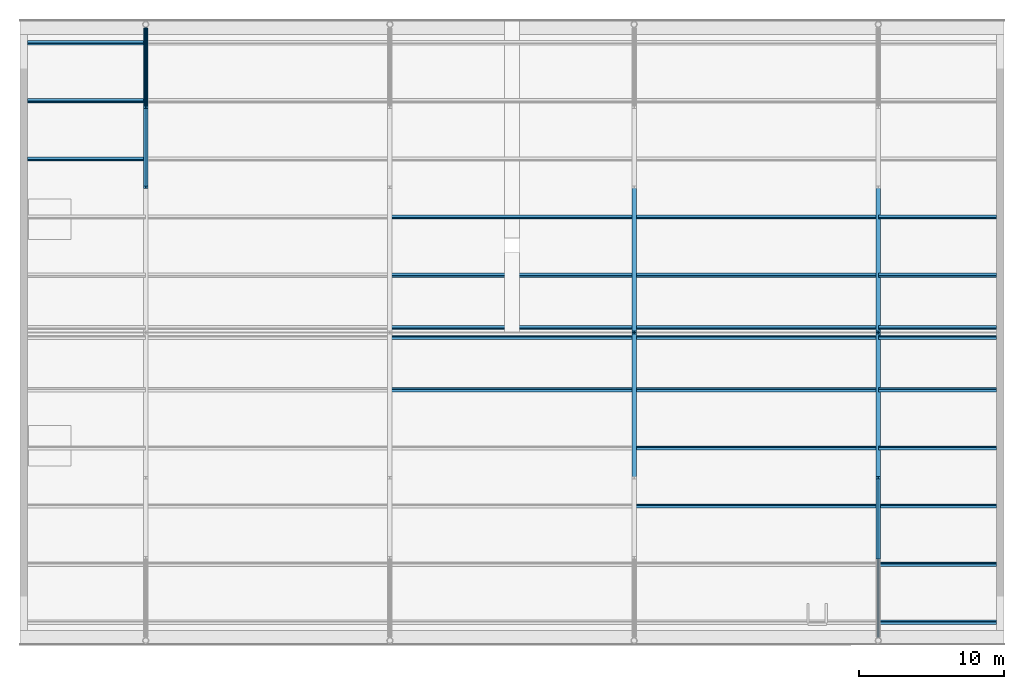
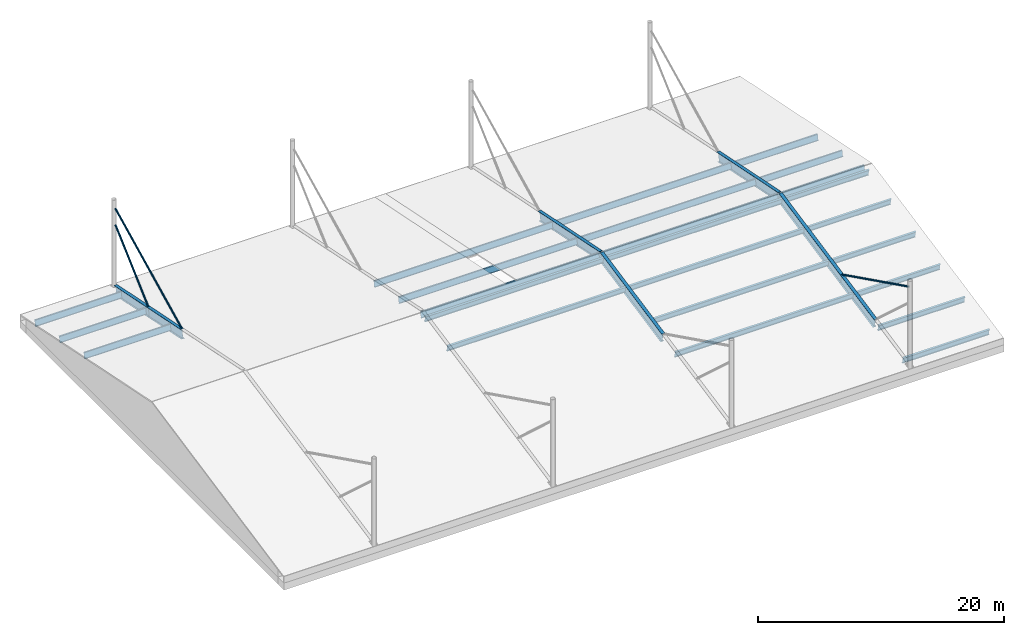
# One storey, part 4 of 8: 27 members, 7 beams.
"""IFC4 building model written with IfcOpenShell, lengths in metres."""

from ifc_helpers import new_model, si_unit, direction, frame, origin, origin_2d, place, context, subcontext, project, spatial, hollow_circle, i_section, extrude, material, material_profile, profile_set, type_object, element, save


model = new_model("IFC4")

# Units and contexts
model_context = context("Model", 3, precision=1e-05, world=origin(), true_north=direction((0.0, 1.0)))
body_context = subcontext(model_context, "Body", "Model", "MODEL_VIEW")
ifc_project = project(units=[si_unit("LENGTHUNIT", "METRE"), si_unit("AREAUNIT", "SQUARE_METRE"), si_unit("VOLUMEUNIT", "CUBIC_METRE"), si_unit("PLANEANGLEUNIT", "RADIAN"), si_unit("MASSUNIT", "GRAM", prefix="KILO")], contexts=[model_context])

# Site, building, storey
site_placement = place(None, origin())
site = spatial("IfcSite", under=ifc_project, at=site_placement, CompositionType="ELEMENT")
building_placement = place(site_placement, origin())
building = spatial("IfcBuilding", under=site, at=building_placement, Name="Ljudholm Concert House", CompositionType="ELEMENT")
storey_placement = place(building_placement, frame((0.0, 0.0, 22.800048828125)))
storey = spatial("IfcBuildingStorey", under=building, at=storey_placement, Name="ROOF", CompositionType="ELEMENT", Elevation=22.800048828125)

# Beams
ifc_material_1 = material(Name="Steel ASTM A992", Category="steel")
ifc_material_profile_1 = material_profile(ifc_material_1, i_section(OverallWidth=0.3046875, OverallDepth=0.904296875, WebThickness=0.01513671875, FlangeThickness=0.02001953125, FilletRadius=0.01904296875, at=origin_2d()), Name="W36X135")
ifc_profile_set_1 = profile_set([ifc_material_profile_1], Name="Steel ASTM A992")
beam_type = type_object("IfcBeamType", Name="STEEL BEAM W36X135 BEAM", PredefinedType="BEAM", material=ifc_profile_set_1)
beam_1_placement = place(storey_placement, frame((37.60009765625, 85.39990234375, 3.350341796875), z_axis=(0.0, 0.979927877682, -0.199352337687), x_axis=(-1.0, 0.0, 0.0)))
element("IfcBeam", 1, at=beam_1_placement, inside=storey, type_object=beam_type, Name="Roof girder G1", PredefinedType="BEAM", context=body_context, shape_type="SweptSolid", body=[
    extrude(i_section(OverallWidth=0.3046875, OverallDepth=0.904296875, WebThickness=0.01513671875, FlangeThickness=0.02001953125, FilletRadius=0.01904296875, at=origin_2d()), origin(), (0.0, 0.0, 1.0), 5.612548828125),
])
beam_2_placement = place(storey_placement, frame((37.60009765625, 90.89990234375, 2.2314453125), z_axis=(0.0, 0.979928667934, -0.199348453119), x_axis=(-1.0, 0.0, 0.0)))
element("IfcBeam", 2, at=beam_2_placement, inside=storey, type_object=beam_type, Name="Roof girder G1", PredefinedType="BEAM", context=body_context, shape_type="SweptSolid", body=[
    extrude(i_section(OverallWidth=0.3046875, OverallDepth=0.904296875, WebThickness=0.01513671875, FlangeThickness=0.02001953125, FilletRadius=0.01904296875, at=origin_2d()), origin(), (0.0, 0.0, 1.0), 5.459716796875),
])
for number, where, z_axis, x_axis, name in (
    (3, (71.199951171875, 65.39990234375, 3.350341796875), (0.0, 0.97992192909, 0.1993815761), (-1.0, 0.0, 0.0), "Roof girder G3"),
    (4, (71.199951171875, 75.39990234375, 5.385009765625), (0.0, 0.97992192909, -0.1993815761), (-1.0, 0.0, 0.0), "Roof girder G3"),
):
    element("IfcBeam", number, at=place(storey_placement, frame(where, z_axis=z_axis, x_axis=x_axis)), inside=storey, type_object=beam_type, Name=name, PredefinedType="BEAM", context=body_context, shape_type="SweptSolid", body=[
        extrude(i_section(OverallWidth=0.3046875, OverallDepth=0.904296875, WebThickness=0.01513671875, FlangeThickness=0.02001953125, FilletRadius=0.01904296875, at=origin_2d()), origin(), (0.0, 0.0, 1.0), 10.204833984375),
    ])
beam_3_placement = place(storey_placement, frame((88.0, 59.89990234375, 2.2314453125), z_axis=(0.0, 0.979927877682, 0.199352337687), x_axis=(-1.0, 0.0, 0.0)))
element("IfcBeam", 5, at=beam_3_placement, inside=storey, type_object=beam_type, Name="Roof girder G4", PredefinedType="BEAM", context=body_context, shape_type="SweptSolid", body=[
    extrude(i_section(OverallWidth=0.3046875, OverallDepth=0.904296875, WebThickness=0.01513671875, FlangeThickness=0.02001953125, FilletRadius=0.01904296875, at=origin_2d()), origin(), (0.0, 0.0, 1.0), 5.612548828125),
])
for number, where, z_axis, x_axis, name in (
    (6, (88.0, 65.39990234375, 3.350341796875), (0.0, 0.97992192909, 0.1993815761), (-1.0, 0.0, 0.0), "Roof girder G4"),
    (7, (88.0, 75.39990234375, 5.385009765625), (0.0, 0.97992192909, -0.1993815761), (-1.0, 0.0, 0.0), "Roof girder G4"),
):
    element("IfcBeam", number, at=place(storey_placement, frame(where, z_axis=z_axis, x_axis=x_axis)), inside=storey, type_object=beam_type, Name=name, PredefinedType="BEAM", context=body_context, shape_type="SweptSolid", body=[
        extrude(i_section(OverallWidth=0.3046875, OverallDepth=0.904296875, WebThickness=0.01513671875, FlangeThickness=0.02001953125, FilletRadius=0.01904296875, at=origin_2d()), origin(), (0.0, 0.0, 1.0), 10.204833984375),
    ])

# Members
ifc_material_2 = material(Name="Steel ASTM A500 Gr. C", Category="steel")
ifc_material_profile_2 = material_profile(ifc_material_2, hollow_circle(Radius=0.084228515625, WallThickness=0.006591796875, at=origin_2d()), Name="HSS6.625X0.280")
ifc_profile_set_2 = profile_set([ifc_material_profile_2], Name="Steel ASTM A500 Gr. C")
member_type_1 = type_object("IfcMemberType", Name="STEEL MEMBER HSS6.625X0.280 BRACE", PredefinedType="BRACE", material=ifc_profile_set_2)
member_placement = place(storey_placement, frame((37.60009765625, 96.340087890625, 7.5625), z_axis=(0.0, -0.738258890166, -0.674517465371), x_axis=(1.0, 0.0, 0.0)))
element("IfcMember", 8, at=member_placement, inside=storey, type_object=member_type_1, Name="Roof stay N1.1", PredefinedType="BRACE", context=body_context, shape_type="SweptSolid", body=[
    extrude(hollow_circle(Radius=0.084228515625, WallThickness=0.006591796875, at=origin_2d()), origin(), (0.0, 0.0, 1.0), 7.185302734375),
])
for number, where, z_axis, x_axis, name in (
    (9, (37.60009765625, 96.359375, 9.1806640625), (0.0, -0.895985327461, -0.444083655378), (1.0, 0.0, 0.0), "Roof stay N1.2"),
    (10, (88.0, 54.440673828125, 9.1806640625), (0.0, 0.895985327461, -0.444083655378), (-1.0, 0.0, 0.0), "Roof stay S4.2"),
):
    element("IfcMember", number, at=place(storey_placement, frame(where, z_axis=z_axis, x_axis=x_axis)), inside=storey, type_object=member_type_1, Name=name, PredefinedType="BRACE", context=body_context, shape_type="SweptSolid", body=[
        extrude(hollow_circle(Radius=0.084228515625, WallThickness=0.006591796875, at=origin_2d()), origin(), (0.0, 0.0, 1.0), 12.022705078125),
    ])
ifc_material_3 = material(Name="Steel ASTM A992", Category="steel")
ifc_material_profile_3 = material_profile(ifc_material_3, i_section(OverallWidth=0.177978515625, OverallDepth=0.599365234375, WebThickness=0.010009765625, FlangeThickness=0.012939453125, FilletRadius=0.012939453125, at=origin_2d()), Name="W24X55")
ifc_profile_set_3 = profile_set([ifc_material_profile_3], Name="Steel ASTM A992")
member_type_2 = type_object("IfcMemberType", Name="STEEL MEMBER W24X55 PURLIN", PredefinedType="PURLIN", material=ifc_profile_set_3)
for number, where, z_axis, x_axis, name in (
    (11, (29.449951171875, 95.34033203125, 1.233642578125), (1.0, 0.0, 0.0), (0.0, 0.979924704621, -0.199367934417), "Purlin"),
    (12, (29.449951171875, 91.34033203125, 2.04736328125), (1.0, 0.0, 0.0), (0.0, 0.979924704621, -0.199367934417), "Purlin"),
    (13, (29.449951171875, 87.34033203125, 2.861328125), (1.0, 0.0, 0.0), (0.0, 0.979924704621, -0.199367934417), "Purlin"),
):
    element("IfcMember", number, at=place(storey_placement, frame(where, z_axis=z_axis, x_axis=x_axis)), inside=storey, type_object=member_type_2, Name=name, PredefinedType="PURLIN", context=body_context, shape_type="SweptSolid", body=[
        extrude(i_section(OverallWidth=0.177978515625, OverallDepth=0.599365234375, WebThickness=0.010009765625, FlangeThickness=0.012939453125, FilletRadius=0.012939453125, at=origin_2d()), origin(), (0.0, 0.0, 1.0), 8.142333984375),
    ])
for number, where, z_axis, x_axis, name in (
    (14, (54.40771484375, 71.459716796875, 4.48876953125), (1.0, 0.0, 0.0), (0.0, 0.979924704621, 0.199367934417), "Purlin"),
    (15, (54.40771484375, 75.059814453125, 5.22119140625), (1.0, 0.0, 0.0), (0.0, 0.979924704621, 0.199367934417), "Purlin"),
    (16, (54.40771484375, 83.34033203125, 3.675048828125), (1.0, 0.0, 0.0), (0.0, 0.979924704621, -0.199367934417), "Purlin"),
    (17, (54.40771484375, 79.34033203125, 4.48876953125), (1.0, 0.0, 0.0), (0.0, 0.979924704621, -0.199367934417), "Purlin"),
    (18, (54.40771484375, 75.740234375, 5.22119140625), (1.0, 0.0, 0.0), (0.0, 0.979924704621, -0.199367934417), "Purlin"),
):
    element("IfcMember", number, at=place(storey_placement, frame(where, z_axis=z_axis, x_axis=x_axis)), inside=storey, type_object=member_type_2, Name=name, PredefinedType="PURLIN", context=body_context, shape_type="SweptSolid", body=[
        extrude(i_section(OverallWidth=0.177978515625, OverallDepth=0.599365234375, WebThickness=0.010009765625, FlangeThickness=0.012939453125, FilletRadius=0.012939453125, at=origin_2d()), origin(), (0.0, 0.0, 1.0), 16.78466796875),
    ])
for number, where, z_axis, x_axis, name in (
    (19, (71.20751953125, 63.459716796875, 2.861328125), (1.0, 0.0, 0.0), (0.0, 0.979924704621, 0.199367934417), "Purlin"),
    (20, (71.20751953125, 67.459716796875, 3.675048828125), (1.0, 0.0, 0.0), (0.0, 0.979924704621, 0.199367934417), "Purlin"),
    (21, (71.20751953125, 71.459716796875, 4.48876953125), (1.0, 0.0, 0.0), (0.0, 0.979924704621, 0.199367934417), "Purlin"),
    (22, (71.20751953125, 75.059814453125, 5.22119140625), (1.0, 0.0, 0.0), (0.0, 0.979924704621, 0.199367934417), "Purlin"),
    (23, (71.20751953125, 83.34033203125, 3.675048828125), (1.0, 0.0, 0.0), (0.0, 0.979924704621, -0.199367934417), "Purlin"),
    (24, (71.20751953125, 79.34033203125, 4.48876953125), (1.0, 0.0, 0.0), (0.0, 0.979924704621, -0.199367934417), "Purlin"),
    (25, (71.20751953125, 75.740234375, 5.22119140625), (1.0, 0.0, 0.0), (0.0, 0.979924704621, -0.199367934417), "Purlin"),
):
    element("IfcMember", number, at=place(storey_placement, frame(where, z_axis=z_axis, x_axis=x_axis)), inside=storey, type_object=member_type_2, Name=name, PredefinedType="PURLIN", context=body_context, shape_type="SweptSolid", body=[
        extrude(i_section(OverallWidth=0.177978515625, OverallDepth=0.599365234375, WebThickness=0.010009765625, FlangeThickness=0.012939453125, FilletRadius=0.012939453125, at=origin_2d()), origin(), (0.0, 0.0, 1.0), 16.784912109375),
    ])
for number, where, z_axis, x_axis, name in (
    (26, (88.007568359375, 55.459716796875, 1.233642578125), (1.0, 0.0, 0.0), (0.0, 0.979924704621, 0.199367934417), "Purlin"),
    (27, (88.007568359375, 59.459716796875, 2.04736328125), (1.0, 0.0, 0.0), (0.0, 0.979924704621, 0.199367934417), "Purlin"),
    (28, (88.007568359375, 63.459716796875, 2.861328125), (1.0, 0.0, 0.0), (0.0, 0.979924704621, 0.199367934417), "Purlin"),
    (29, (88.007568359375, 67.459716796875, 3.675048828125), (1.0, 0.0, 0.0), (0.0, 0.979924704621, 0.199367934417), "Purlin"),
    (30, (88.007568359375, 71.459716796875, 4.48876953125), (1.0, 0.0, 0.0), (0.0, 0.979924704621, 0.199367934417), "Purlin"),
    (31, (88.007568359375, 75.059814453125, 5.22119140625), (1.0, 0.0, 0.0), (0.0, 0.979924704621, 0.199367934417), "Purlin"),
    (32, (88.007568359375, 83.34033203125, 3.675048828125), (1.0, 0.0, 0.0), (0.0, 0.979924704621, -0.199367934417), "Purlin"),
    (33, (88.007568359375, 79.34033203125, 4.48876953125), (1.0, 0.0, 0.0), (0.0, 0.979924704621, -0.199367934417), "Purlin"),
    (34, (88.007568359375, 75.740234375, 5.22119140625), (1.0, 0.0, 0.0), (0.0, 0.979924704621, -0.199367934417), "Purlin"),
):
    element("IfcMember", number, at=place(storey_placement, frame(where, z_axis=z_axis, x_axis=x_axis)), inside=storey, type_object=member_type_2, Name=name, PredefinedType="PURLIN", context=body_context, shape_type="SweptSolid", body=[
        extrude(i_section(OverallWidth=0.177978515625, OverallDepth=0.599365234375, WebThickness=0.010009765625, FlangeThickness=0.012939453125, FilletRadius=0.012939453125, at=origin_2d()), origin(), (0.0, 0.0, 1.0), 8.142333984375),
    ])

save(model, "model.ifc")
